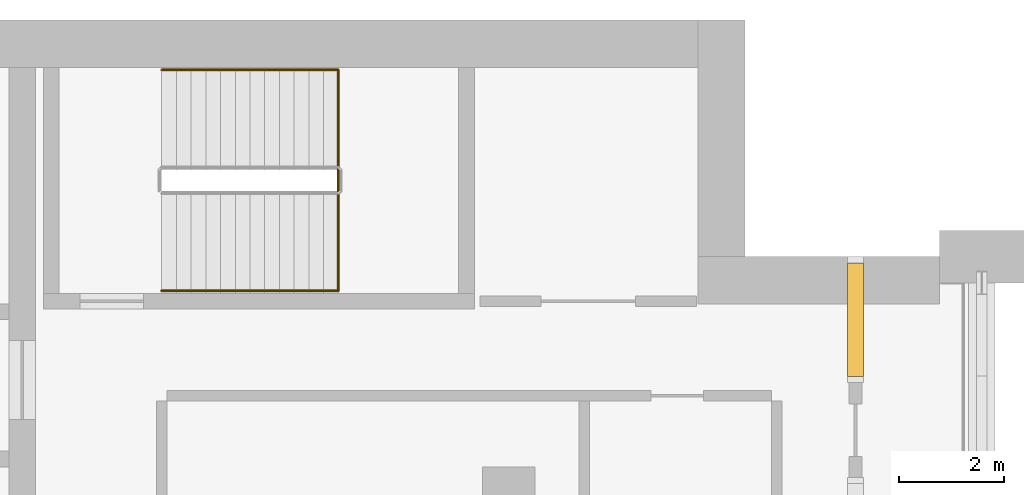
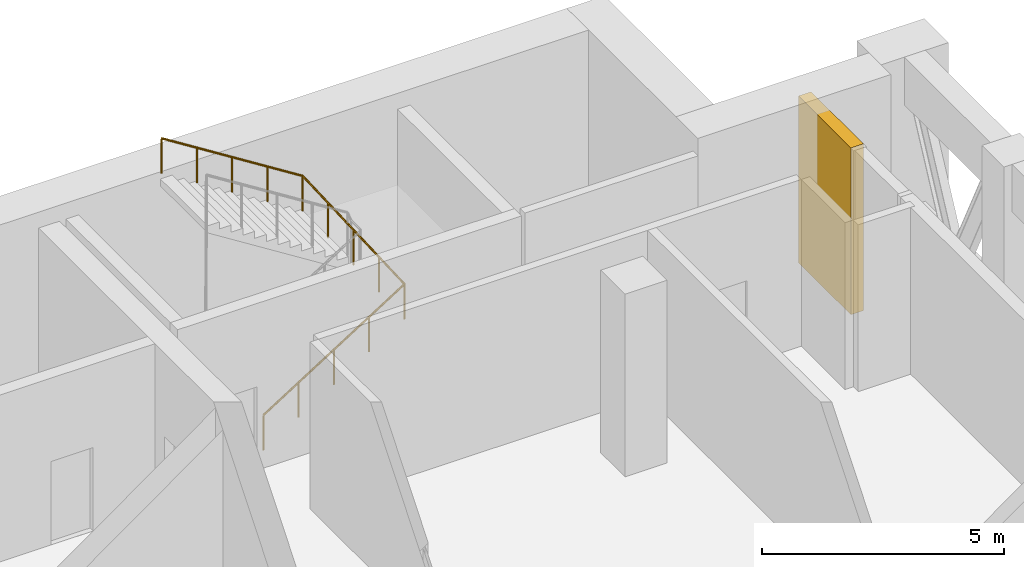
# One storey, part 18 of 18: 1 railing, 1 shading device.
"""IFC4 building model written with IfcOpenShell, lengths in metres."""

import ifcopenshell
import ifcopenshell.guid

model = None  # the IFC model being written
_history = None  # IfcOwnerHistory: only IFC2X3 demands one
_inside = {}  # id of a spatial element -> (the spatial element, [elements in it])
_under = {}  # id of a project, library or spatial element -> (it, [spatial elements below it])
_declared = {}  # id of a project -> (the project, [libraries it declares])
_typed = {}  # id of a type object -> (the type object, [elements of that type])
_made_of = {}  # id of a material, layer set ... -> (it, [elements and type objects made of it])


def new_model(schema):
    """Start an empty IFC model of exactly this schema.

    Asked for "IFC4X3", IfcOpenShell would pick the latest addendum, in which some entities
    have other attributes; the version numbers below select the first issue.
    IFC2X3 requires an IfcOwnerHistory on every rooted entity: one is made here for all.
    """
    global model, _history
    if schema == "IFC4X3":
        model = ifcopenshell.file(schema_version=(4, 3, 0, 0))
    else:
        model = ifcopenshell.file(schema=schema)
    _inside.clear()
    _under.clear()
    _declared.clear()
    _typed.clear()
    _made_of.clear()
    _history = None
    if model.schema == "IFC2X3":
        org = make("IfcOrganization", Name="unknown")
        user = make(
            "IfcPersonAndOrganization",
            ThePerson=make("IfcPerson", FamilyName="unknown"),
            TheOrganization=org,
        )
        app = make(
            "IfcApplication",
            ApplicationDeveloper=org,
            Version="unknown",
            ApplicationFullName="unknown",
            ApplicationIdentifier="unknown",
        )
        _history = make(
            "IfcOwnerHistory",
            OwningUser=user,
            OwningApplication=app,
            ChangeAction="ADDED",
            CreationDate=0,
        )
    return model


def make(cls, **values):
    """One entity of the class cls with the attributes given. An attribute that is None is left unset."""
    return model.create_entity(
        cls, **{name: value for name, value in values.items() if value is not None}
    )


def rooted(cls, **values):
    """An entity with a GlobalId (a new one), such as an element, a storey or a relation."""
    return make(cls, GlobalId=ifcopenshell.guid.new(), OwnerHistory=_history, **values)


def si_unit(unit_type, name, prefix=None):
    """IfcSIUnit, for example si_unit("LENGTHUNIT", "METRE", prefix="MILLI")."""
    return make("IfcSIUnit", UnitType=unit_type, Prefix=prefix, Name=name)


def assignment(units):
    """IfcUnitAssignment: the units of a project."""
    return None if units is None else make("IfcUnitAssignment", Units=units)


def point(xyz):
    """IfcCartesianPoint."""
    return None if xyz is None else make("IfcCartesianPoint", Coordinates=xyz)


def direction(xyz):
    """IfcDirection."""
    return None if xyz is None else make("IfcDirection", DirectionRatios=xyz)


def frame(location, z_axis=None, x_axis=None):
    """IfcAxis2Placement3D, a coordinate frame: its origin and axes. An axis left out is left unset."""
    return make(
        "IfcAxis2Placement3D",
        Location=point(location),
        Axis=direction(z_axis),
        RefDirection=direction(x_axis),
    )


def frame_2d(location, x_axis=None):
    """IfcAxis2Placement2D, a coordinate frame in the plane: its origin and x axis."""
    return make(
        "IfcAxis2Placement2D", Location=point(location), RefDirection=direction(x_axis)
    )


def origin():
    """The frame at (0, 0, 0) with its axes left unset."""
    return frame((0.0, 0.0, 0.0))


def origin_2d():
    """The frame at (0, 0) in the plane with its x axis left unset."""
    return frame_2d((0.0, 0.0))


def place(relative_to, where):
    """IfcLocalPlacement: puts the frame where relative to a parent placement (None: the world)."""
    return make(
        "IfcLocalPlacement", PlacementRelTo=relative_to, RelativePlacement=where
    )


def context(
    kind, dimensions, precision=None, world=None, true_north=None, identifier=None
):
    """IfcGeometricRepresentationContext, for example the 3D "Model" context."""
    return make(
        "IfcGeometricRepresentationContext",
        ContextIdentifier=identifier,
        ContextType=kind,
        CoordinateSpaceDimension=dimensions,
        Precision=precision,
        WorldCoordinateSystem=world,
        TrueNorth=true_north,
    )


def subcontext(parent, identifier, kind, view, scale=None):
    """IfcGeometricRepresentationSubContext, for example "Body" below "Model"."""
    return make(
        "IfcGeometricRepresentationSubContext",
        ContextIdentifier=identifier,
        ContextType=kind,
        ParentContext=parent,
        TargetScale=scale,
        TargetView=view,
    )


def project(units=None, contexts=None):
    """IfcProject with its units and contexts."""
    return rooted(
        "IfcProject",
        Name="project",
        RepresentationContexts=contexts,
        UnitsInContext=assignment(units),
    )


def spatial(cls, under=None, at=None, **own):
    """A site, building, storey or space (cls), placed at a placement, below another one or the project."""
    s = rooted(cls, ObjectPlacement=at, **own)
    if under is not None:
        _under.setdefault(under.id(), (under, []))[1].append(s)
    return s


def profile(cls, at=None, kind="AREA", **sizes):
    """A parametric profile (cls). Its sizes go by their IFC names, for example OverallWidth=200.0."""
    return make(cls, ProfileType=kind, Position=at, **sizes)


def rectangle(**sizes):
    """IfcRectangleProfileDef."""
    return profile("IfcRectangleProfileDef", **sizes)


def circle(**sizes):
    """IfcCircleProfileDef."""
    return profile("IfcCircleProfileDef", **sizes)


def extrude(swept, where, along, depth):
    """IfcExtrudedAreaSolid: the profile swept, set in the frame where, extruded along a direction by depth."""
    return make(
        "IfcExtrudedAreaSolid",
        SweptArea=swept,
        Position=where,
        ExtrudedDirection=direction(along),
        Depth=depth,
    )


def shape(context_of_items, identifier, shape_type, items):
    """IfcShapeRepresentation: the items that make up one representation, for example the "Body"."""
    return make(
        "IfcShapeRepresentation",
        ContextOfItems=context_of_items,
        RepresentationIdentifier=identifier,
        RepresentationType=shape_type,
        Items=items,
    )


def material(Name=None, Category=None):
    """IfcMaterial."""
    return make("IfcMaterial", Name=Name, Category=Category)


def layer(
    of_material, thickness, ventilated=None, Name=None, Category=None, Priority=None
):
    """IfcMaterialLayer: one layer of a wall or slab, of a material (None: an air gap)."""
    return make(
        "IfcMaterialLayer",
        Material=of_material,
        LayerThickness=thickness,
        IsVentilated=ventilated,
        Name=Name,
        Category=Category,
        Priority=Priority,
    )


def layer_set(layers, Name=None):
    """IfcMaterialLayerSet."""
    return make("IfcMaterialLayerSet", MaterialLayers=layers, LayerSetName=Name)


def made_of(thing, what):
    """Note that an element or type object is made of a material, layer set ...; save() writes the relation."""
    if what is not None:
        _made_of.setdefault(what.id(), (what, []))[1].append(thing)
    return thing


def type_object(cls, material=None, **own):
    """A type object (cls), such as IfcWallType, which elements share."""
    return made_of(rooted(cls, **own), material)


def element(
    cls,
    number,
    at=None,
    inside=None,
    cuts=None,
    type_object=None,
    material=None,
    context=None,
    identifier="Body",
    shape_type=None,
    held_by="IfcProductDefinitionShape",
    body=None,
    shapes=None,
    **own,
):
    """One element of the class cls, such as IfcWall. Its Tag is "e" and its number.

    at: its placement. inside: the storey or other place that contains it. cuts: it is an
    opening in that element (IfcRelVoidsElement). A single representation is given by context,
    identifier, shape_type and body (its items); several are given by shapes. held_by: the class
    of the entity that holds the representations. save() writes the other relations.
    """
    e = rooted(cls, Tag="e%d" % number, ObjectPlacement=at, **own)
    if body is not None:
        shapes = [shape(context, identifier, shape_type, body)]
    if shapes is not None:
        e.Representation = make(held_by, Representations=shapes)
    if inside is not None:
        _inside.setdefault(inside.id(), (inside, []))[1].append(e)
    if cuts is not None:
        rooted(
            "IfcRelVoidsElement", RelatingBuildingElement=cuts, RelatedOpeningElement=e
        )
    if type_object is not None:
        _typed.setdefault(type_object.id(), (type_object, []))[1].append(e)
    return made_of(e, material)


def aggregate(whole, parts):
    """IfcRelAggregates: a whole, such as a stair, and the parts it consists of."""
    return rooted("IfcRelAggregates", RelatingObject=whole, RelatedObjects=parts)


def save(model, path):
    """Write the relations noted so far, then the file.

    IfcRelAggregates (storeys below a building ...), IfcRelContainedInSpatialStructure (elements
    in a storey), IfcRelDefinesByType, IfcRelAssociatesMaterial and IfcRelDeclares: one each for
    every whole, place, type object, material and project.
    """
    for whole, parts in _under.values():
        aggregate(whole, parts)
    for where, things in _inside.values():
        rooted(
            "IfcRelContainedInSpatialStructure",
            RelatedElements=things,
            RelatingStructure=where,
        )
    for kind, things in _typed.values():
        rooted("IfcRelDefinesByType", RelatedObjects=things, RelatingType=kind)
    for what, things in _made_of.values():
        rooted("IfcRelAssociatesMaterial", RelatedObjects=things, RelatingMaterial=what)
    for by, libraries in _declared.values():
        rooted("IfcRelDeclares", RelatingContext=by, RelatedDefinitions=libraries)
    model.write(path)


model = new_model("IFC4")

# Units and contexts
model_context = context("Model", 3, precision=1e-05, world=origin(), true_north=direction((0.0, 1.0)))
body_context = subcontext(model_context, "Body", "Model", "MODEL_VIEW")
ifc_project = project(units=[si_unit("LENGTHUNIT", "METRE"), si_unit("AREAUNIT", "SQUARE_METRE"), si_unit("VOLUMEUNIT", "CUBIC_METRE"), si_unit("PLANEANGLEUNIT", "RADIAN"), si_unit("MASSUNIT", "GRAM", prefix="KILO")], contexts=[model_context])

# Site, building, storey
site_placement = place(None, origin())
site = spatial("IfcSite", under=ifc_project, at=site_placement, CompositionType="ELEMENT")
building_placement = place(site_placement, origin())
building = spatial("IfcBuilding", under=site, at=building_placement, Name="Hunhe Ridgeline Campus", CompositionType="ELEMENT")
storey_placement = place(building_placement, frame((0.0, 0.0, 276.199951171875)))
storey = spatial("IfcBuildingStorey", under=building, at=storey_placement, Name="L71", CompositionType="ELEMENT", Elevation=276.199951171875)

# Shading device
ifc_material_1 = material(Name="Aluminium 6063", Category="aluminium")
ifc_layer = layer(ifc_material_1, 0.300048828125)
ifc_layer_set = layer_set([ifc_layer], Name="Louvre bank 300 Aluminium 6063")
shading_device_type = type_object("IfcShadingDeviceType", Name="Louvre bank 300 Aluminium 6063", PredefinedType="USERDEFINED", material=ifc_layer_set)
shading_device_placement = place(storey_placement, frame((51.59912109375, 93.300048828125, 0.0), z_axis=(0.0, 0.0, 1.0), x_axis=(0.0, 1.0, 0.0)))
element("IfcShadingDevice", 1, at=shading_device_placement, inside=storey, type_object=shading_device_type, Name="Louvre bank 19", ObjectType="LOUVRE", PredefinedType="USERDEFINED", context=body_context, shape_type="SweptSolid", body=[
    extrude(rectangle(XDim=2.159912109375, YDim=0.300048828125, at=origin_2d()), origin(), (0.0, 0.0, 1.0), 4.199951171875),
])

# Railing
ifc_material_2 = material(Name="Stainless steel handrail", Category="steel")
railing_type = type_object("IfcRailingType", Name="Stair handrail 900 stainless", PredefinedType="HANDRAIL", material=ifc_material_2)
railing_placement = place(storey_placement, frame((38.39990234375, 93.85009765625, 0.177001953125)))
element("IfcRailing", 2, at=railing_placement, inside=storey, type_object=railing_type, Name="L71 stair E1 handrail", PredefinedType="HANDRAIL", context=body_context, shape_type="SweptSolid", body=[
    extrude(circle(Radius=0.02392578125, at=origin_2d()), frame((0.0, 0.0, 0.8759765625), z_axis=(0.845389635667, 0.0, 0.534150132366), x_axis=(0.0, 1.0, 0.0)), (0.0, 0.0, 1.0), 3.974609375),
    extrude(circle(Radius=0.02392578125, at=origin_2d()), frame((3.360107421875, 0.0, 2.9990234375), z_axis=(0.0, 0.999113130752, 0.042106436075), x_axis=(-1.0, 0.0, 0.0)), (0.0, 0.0, 1.0), 4.20361328125),
    extrude(circle(Radius=0.02392578125, at=origin_2d()), frame((3.360107421875, 4.199951171875, 3.17578125), z_axis=(-0.845389635667, 0.0, 0.534150132366), x_axis=(0.0, -1.0, 0.0)), (0.0, 0.0, 1.0), 3.974609375),
    extrude(circle(Radius=0.02099609375, at=origin_2d()), origin(), (0.0, 0.0, 1.0), 0.851806640625),
    extrude(circle(Radius=0.02099609375, at=origin_2d()), frame((0.840087890625, 0.0, 0.53076171875)), (0.0, 0.0, 1.0), 0.851806640625),
    extrude(circle(Radius=0.02099609375, at=origin_2d()), frame((1.68017578125, 0.0, 1.0615234375)), (0.0, 0.0, 1.0), 0.851806640625),
    extrude(circle(Radius=0.02099609375, at=origin_2d()), frame((2.52001953125, 0.0, 1.59228515625)), (0.0, 0.0, 1.0), 0.851806640625),
    extrude(circle(Radius=0.02099609375, at=origin_2d()), frame((3.360107421875, 0.0, 2.123046875)), (0.0, 0.0, 1.0), 0.851806640625),
    extrude(circle(Radius=0.02099609375, at=origin_2d()), frame((3.360107421875, 1.050048828125, 2.167236328125)), (0.0, 0.0, 1.0), 0.851806640625),
    extrude(circle(Radius=0.02099609375, at=origin_2d()), frame((3.360107421875, 2.10009765625, 2.21142578125)), (0.0, 0.0, 1.0), 0.851806640625),
    extrude(circle(Radius=0.02099609375, at=origin_2d()), frame((3.360107421875, 3.14990234375, 2.255859375)), (0.0, 0.0, 1.0), 0.851806640625),
    extrude(circle(Radius=0.02099609375, at=origin_2d()), frame((3.360107421875, 4.199951171875, 2.300048828125)), (0.0, 0.0, 1.0), 0.851806640625),
    extrude(circle(Radius=0.02099609375, at=origin_2d()), frame((2.52001953125, 4.199951171875, 2.830810546875)), (0.0, 0.0, 1.0), 0.851806640625),
    extrude(circle(Radius=0.02099609375, at=origin_2d()), frame((1.68017578125, 4.199951171875, 3.361572265625)), (0.0, 0.0, 1.0), 0.851806640625),
    extrude(circle(Radius=0.02099609375, at=origin_2d()), frame((0.840087890625, 4.199951171875, 3.892333984375)), (0.0, 0.0, 1.0), 0.851806640625),
    extrude(circle(Radius=0.02099609375, at=origin_2d()), frame((0.0, 4.199951171875, 4.423095703125)), (0.0, 0.0, 1.0), 0.851806640625),
])

save(model, "model.ifc")
